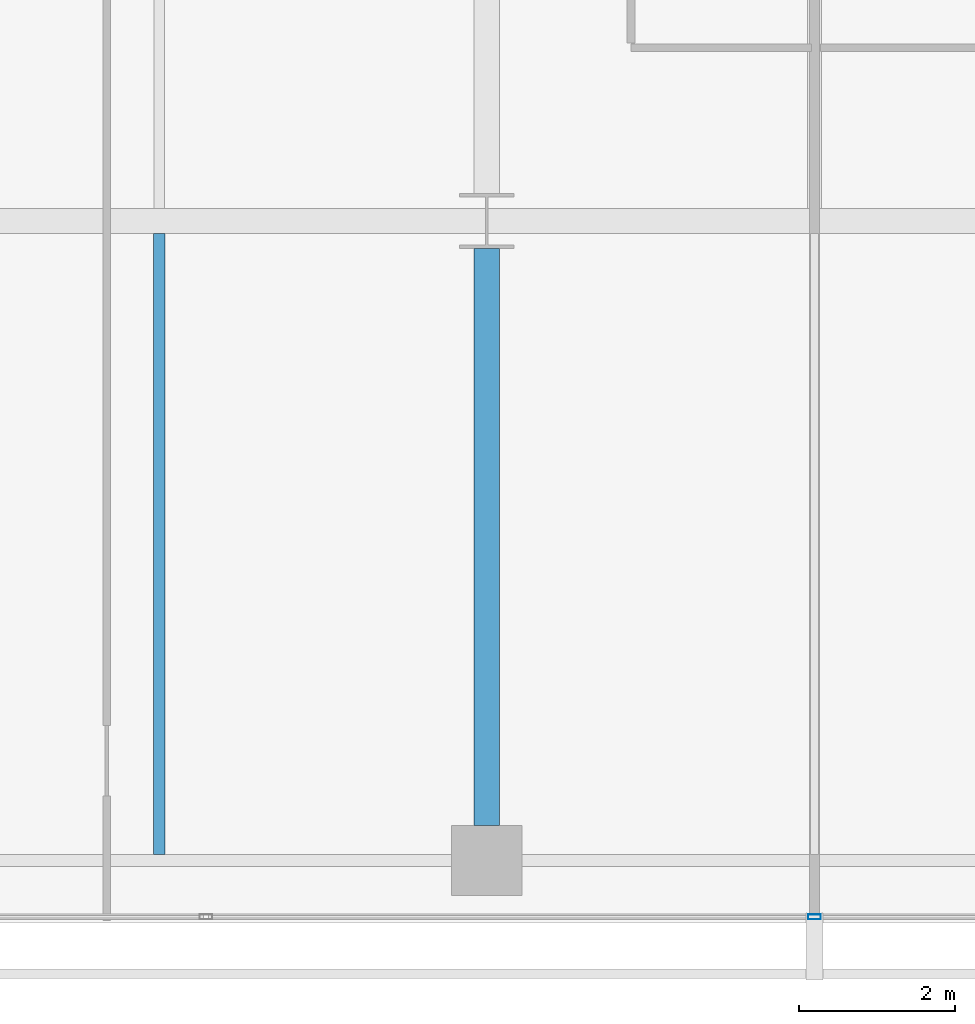
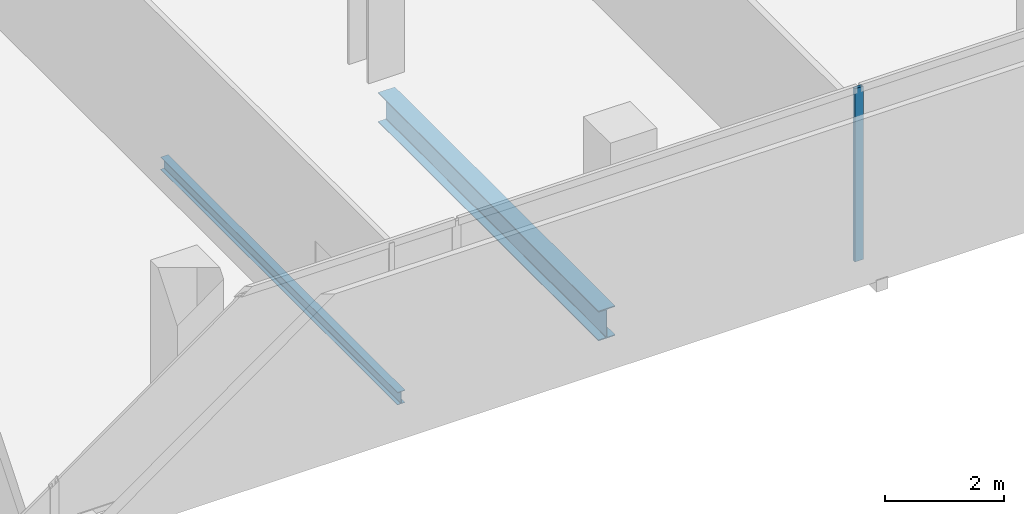
# One storey, part 8 of 39: 2 beams, 1 member, 1 element without a shape of its own.
"""IFC4 building model written with IfcOpenShell, lengths in metres."""

import ifcopenshell
import ifcopenshell.guid

model = None  # the IFC model being written
_history = None  # IfcOwnerHistory: only IFC2X3 demands one
_inside = {}  # id of a spatial element -> (the spatial element, [elements in it])
_under = {}  # id of a project, library or spatial element -> (it, [spatial elements below it])
_declared = {}  # id of a project -> (the project, [libraries it declares])
_typed = {}  # id of a type object -> (the type object, [elements of that type])
_made_of = {}  # id of a material, layer set ... -> (it, [elements and type objects made of it])


def new_model(schema):
    """Start an empty IFC model of exactly this schema.

    Asked for "IFC4X3", IfcOpenShell would pick the latest addendum, in which some entities
    have other attributes; the version numbers below select the first issue.
    IFC2X3 requires an IfcOwnerHistory on every rooted entity: one is made here for all.
    """
    global model, _history
    if schema == "IFC4X3":
        model = ifcopenshell.file(schema_version=(4, 3, 0, 0))
    else:
        model = ifcopenshell.file(schema=schema)
    _inside.clear()
    _under.clear()
    _declared.clear()
    _typed.clear()
    _made_of.clear()
    _history = None
    if model.schema == "IFC2X3":
        org = make("IfcOrganization", Name="unknown")
        user = make(
            "IfcPersonAndOrganization",
            ThePerson=make("IfcPerson", FamilyName="unknown"),
            TheOrganization=org,
        )
        app = make(
            "IfcApplication",
            ApplicationDeveloper=org,
            Version="unknown",
            ApplicationFullName="unknown",
            ApplicationIdentifier="unknown",
        )
        _history = make(
            "IfcOwnerHistory",
            OwningUser=user,
            OwningApplication=app,
            ChangeAction="ADDED",
            CreationDate=0,
        )
    return model


def make(cls, **values):
    """One entity of the class cls with the attributes given. An attribute that is None is left unset."""
    return model.create_entity(
        cls, **{name: value for name, value in values.items() if value is not None}
    )


def rooted(cls, **values):
    """An entity with a GlobalId (a new one), such as an element, a storey or a relation."""
    return make(cls, GlobalId=ifcopenshell.guid.new(), OwnerHistory=_history, **values)


def si_unit(unit_type, name, prefix=None):
    """IfcSIUnit, for example si_unit("LENGTHUNIT", "METRE", prefix="MILLI")."""
    return make("IfcSIUnit", UnitType=unit_type, Prefix=prefix, Name=name)


def assignment(units):
    """IfcUnitAssignment: the units of a project."""
    return None if units is None else make("IfcUnitAssignment", Units=units)


def point(xyz):
    """IfcCartesianPoint."""
    return None if xyz is None else make("IfcCartesianPoint", Coordinates=xyz)


def direction(xyz):
    """IfcDirection."""
    return None if xyz is None else make("IfcDirection", DirectionRatios=xyz)


def frame(location, z_axis=None, x_axis=None):
    """IfcAxis2Placement3D, a coordinate frame: its origin and axes. An axis left out is left unset."""
    return make(
        "IfcAxis2Placement3D",
        Location=point(location),
        Axis=direction(z_axis),
        RefDirection=direction(x_axis),
    )


def frame_2d(location, x_axis=None):
    """IfcAxis2Placement2D, a coordinate frame in the plane: its origin and x axis."""
    return make(
        "IfcAxis2Placement2D", Location=point(location), RefDirection=direction(x_axis)
    )


def origin():
    """The frame at (0, 0, 0) with its axes left unset."""
    return frame((0.0, 0.0, 0.0))


def origin_2d():
    """The frame at (0, 0) in the plane with its x axis left unset."""
    return frame_2d((0.0, 0.0))


def place(relative_to, where):
    """IfcLocalPlacement: puts the frame where relative to a parent placement (None: the world)."""
    return make(
        "IfcLocalPlacement", PlacementRelTo=relative_to, RelativePlacement=where
    )


def context(
    kind, dimensions, precision=None, world=None, true_north=None, identifier=None
):
    """IfcGeometricRepresentationContext, for example the 3D "Model" context."""
    return make(
        "IfcGeometricRepresentationContext",
        ContextIdentifier=identifier,
        ContextType=kind,
        CoordinateSpaceDimension=dimensions,
        Precision=precision,
        WorldCoordinateSystem=world,
        TrueNorth=true_north,
    )


def subcontext(parent, identifier, kind, view, scale=None):
    """IfcGeometricRepresentationSubContext, for example "Body" below "Model"."""
    return make(
        "IfcGeometricRepresentationSubContext",
        ContextIdentifier=identifier,
        ContextType=kind,
        ParentContext=parent,
        TargetScale=scale,
        TargetView=view,
    )


def project(units=None, contexts=None):
    """IfcProject with its units and contexts."""
    return rooted(
        "IfcProject",
        Name="project",
        RepresentationContexts=contexts,
        UnitsInContext=assignment(units),
    )


def spatial(cls, under=None, at=None, **own):
    """A site, building, storey or space (cls), placed at a placement, below another one or the project."""
    s = rooted(cls, ObjectPlacement=at, **own)
    if under is not None:
        _under.setdefault(under.id(), (under, []))[1].append(s)
    return s


def profile(cls, at=None, kind="AREA", **sizes):
    """A parametric profile (cls). Its sizes go by their IFC names, for example OverallWidth=200.0."""
    return make(cls, ProfileType=kind, Position=at, **sizes)


def hollow_rectangle(**sizes):
    """IfcRectangleHollowProfileDef."""
    return profile("IfcRectangleHollowProfileDef", **sizes)


def i_section(**sizes):
    """IfcIShapeProfileDef."""
    return profile("IfcIShapeProfileDef", **sizes)


def extrude(swept, where, along, depth):
    """IfcExtrudedAreaSolid: the profile swept, set in the frame where, extruded along a direction by depth."""
    return make(
        "IfcExtrudedAreaSolid",
        SweptArea=swept,
        Position=where,
        ExtrudedDirection=direction(along),
        Depth=depth,
    )


def shape(context_of_items, identifier, shape_type, items):
    """IfcShapeRepresentation: the items that make up one representation, for example the "Body"."""
    return make(
        "IfcShapeRepresentation",
        ContextOfItems=context_of_items,
        RepresentationIdentifier=identifier,
        RepresentationType=shape_type,
        Items=items,
    )


def material(Name=None, Category=None):
    """IfcMaterial."""
    return make("IfcMaterial", Name=Name, Category=Category)


def layer(
    of_material, thickness, ventilated=None, Name=None, Category=None, Priority=None
):
    """IfcMaterialLayer: one layer of a wall or slab, of a material (None: an air gap)."""
    return make(
        "IfcMaterialLayer",
        Material=of_material,
        LayerThickness=thickness,
        IsVentilated=ventilated,
        Name=Name,
        Category=Category,
        Priority=Priority,
    )


def layer_set(layers, Name=None):
    """IfcMaterialLayerSet."""
    return make("IfcMaterialLayerSet", MaterialLayers=layers, LayerSetName=Name)


def material_profile(
    of_material, cross_section, Name=None, Category=None, Priority=None
):
    """IfcMaterialProfile: a cross section and its material."""
    return make(
        "IfcMaterialProfile",
        Name=Name,
        Material=of_material,
        Profile=cross_section,
        Priority=Priority,
        Category=Category,
    )


def profile_set(profiles, Name=None, composite=None):
    """IfcMaterialProfileSet."""
    return make(
        "IfcMaterialProfileSet",
        Name=Name,
        MaterialProfiles=profiles,
        CompositeProfile=composite,
    )


def made_of(thing, what):
    """Note that an element or type object is made of a material, layer set ...; save() writes the relation."""
    if what is not None:
        _made_of.setdefault(what.id(), (what, []))[1].append(thing)
    return thing


def type_object(cls, material=None, **own):
    """A type object (cls), such as IfcWallType, which elements share."""
    return made_of(rooted(cls, **own), material)


def element(
    cls,
    number,
    at=None,
    inside=None,
    cuts=None,
    type_object=None,
    material=None,
    context=None,
    identifier="Body",
    shape_type=None,
    held_by="IfcProductDefinitionShape",
    body=None,
    shapes=None,
    **own,
):
    """One element of the class cls, such as IfcWall. Its Tag is "e" and its number.

    at: its placement. inside: the storey or other place that contains it. cuts: it is an
    opening in that element (IfcRelVoidsElement). A single representation is given by context,
    identifier, shape_type and body (its items); several are given by shapes. held_by: the class
    of the entity that holds the representations. save() writes the other relations.
    """
    e = rooted(cls, Tag="e%d" % number, ObjectPlacement=at, **own)
    if body is not None:
        shapes = [shape(context, identifier, shape_type, body)]
    if shapes is not None:
        e.Representation = make(held_by, Representations=shapes)
    if inside is not None:
        _inside.setdefault(inside.id(), (inside, []))[1].append(e)
    if cuts is not None:
        rooted(
            "IfcRelVoidsElement", RelatingBuildingElement=cuts, RelatedOpeningElement=e
        )
    if type_object is not None:
        _typed.setdefault(type_object.id(), (type_object, []))[1].append(e)
    return made_of(e, material)


def aggregate(whole, parts):
    """IfcRelAggregates: a whole, such as a stair, and the parts it consists of."""
    return rooted("IfcRelAggregates", RelatingObject=whole, RelatedObjects=parts)


def save(model, path):
    """Write the relations noted so far, then the file.

    IfcRelAggregates (storeys below a building ...), IfcRelContainedInSpatialStructure (elements
    in a storey), IfcRelDefinesByType, IfcRelAssociatesMaterial and IfcRelDeclares: one each for
    every whole, place, type object, material and project.
    """
    for whole, parts in _under.values():
        aggregate(whole, parts)
    for where, things in _inside.values():
        rooted(
            "IfcRelContainedInSpatialStructure",
            RelatedElements=things,
            RelatingStructure=where,
        )
    for kind, things in _typed.values():
        rooted("IfcRelDefinesByType", RelatedObjects=things, RelatingType=kind)
    for what, things in _made_of.values():
        rooted("IfcRelAssociatesMaterial", RelatedObjects=things, RelatingMaterial=what)
    for by, libraries in _declared.values():
        rooted("IfcRelDeclares", RelatingContext=by, RelatedDefinitions=libraries)
    model.write(path)


model = new_model("IFC4")

# Units and contexts
model_context = context("Model", 3, precision=1e-05, world=origin(), true_north=direction((0.0, 1.0)))
body_context = subcontext(model_context, "Body", "Model", "MODEL_VIEW")
ifc_project = project(units=[si_unit("LENGTHUNIT", "METRE"), si_unit("AREAUNIT", "SQUARE_METRE"), si_unit("VOLUMEUNIT", "CUBIC_METRE"), si_unit("PLANEANGLEUNIT", "RADIAN"), si_unit("MASSUNIT", "GRAM", prefix="KILO")], contexts=[model_context])

# Site, building, storey
site_placement = place(None, origin())
site = spatial("IfcSite", under=ifc_project, at=site_placement, CompositionType="ELEMENT")
building_placement = place(site_placement, origin())
building = spatial("IfcBuilding", under=site, at=building_placement, Name="Maruvema Waterfront Hotel and Observation Tower", CompositionType="ELEMENT")
storey_placement = place(building_placement, frame((0.0, 0.0, 111.64990234375)))
storey = spatial("IfcBuildingStorey", under=building, at=storey_placement, Name="L27", CompositionType="ELEMENT", Elevation=111.64990234375)

# Curtain wall, member
ifc_material_1 = material(Name="Anodised bronze aluminium and solar-control low-E IGU", Category="aluminium")
ifc_layer = layer(ifc_material_1, 0.159912109375, Name="Zone 1 Bronze Inner Thermal Curtain Wall System CW-02")
ifc_layer_set = layer_set([ifc_layer], Name="Anodised bronze aluminium and solar-control low-E IGU")
curtain_wall_type = type_object("IfcCurtainWallType", Name="Zone 1 Bronze Inner Thermal Curtain Wall System CW-02", PredefinedType="USERDEFINED", material=ifc_layer_set)
curtain_wall_placement = place(storey_placement, origin())
curtain_wall = element("IfcCurtainWall", 1, at=curtain_wall_placement, inside=storey, type_object=curtain_wall_type, Name="L27 Curtain Wall CW-L27-S", ObjectType="UNITISED CURTAIN WALL", PredefinedType="USERDEFINED")
ifc_material_2 = material(Name="Anodised architectural bronze aluminium", Category="aluminium")
ifc_material_profile_1 = material_profile(ifc_material_2, hollow_rectangle(XDim=0.06494140625, YDim=0.1650390625, WallThickness=0.00390625, at=origin_2d()), Name="ALU-M65x165")
ifc_profile_set_1 = profile_set([ifc_material_profile_1], Name="Anodised architectural bronze aluminium")
member_type = type_object("IfcMemberType", Name="Curtain Wall Primary Mullion ALU-M65x165", PredefinedType="MULLION", material=ifc_profile_set_1)
member_placement = place(storey_placement, frame((37.800048828125, 0.080078125, 0.0), z_axis=(0.0, 0.0, 1.0), x_axis=(0.0, 1.0, 0.0)))
member = element("IfcMember", 2, at=member_placement, type_object=member_type, Name="CW-02 mullion 4", PredefinedType="MULLION", context=body_context, shape_type="SweptSolid", body=[
    extrude(hollow_rectangle(XDim=0.06494140625, YDim=0.1650390625, WallThickness=0.00390625, at=origin_2d()), origin(), (0.0, 0.0, 1.0), 3.550048828125),
])
aggregate(curtain_wall, [member])

# Beams
ifc_material_3 = material(Name="Steel ASTM A572 Grade 50", Category="steel")
ifc_material_profile_2 = material_profile(ifc_material_3, i_section(OverallWidth=0.323974609375, OverallDepth=0.611083984375, WebThickness=0.0126953125, FlangeThickness=0.01904296875, FilletRadius=0.01806640625, at=origin_2d()), Name="W610x155.0")
ifc_profile_set_2 = profile_set([ifc_material_profile_2], Name="Steel ASTM A572 Grade 50")
beam_type_1 = type_object("IfcBeamType", Name="Primary Floor Girder W610x155.0", PredefinedType="BEAM", material=ifc_profile_set_2)
beam_1_placement = place(storey_placement, frame((33.60009765625, 1.25, -0.54541015625), z_axis=(0.0, 1.0, 0.0), x_axis=(-1.0, 0.0, 0.0)))
element("IfcBeam", 3, at=beam_1_placement, inside=storey, type_object=beam_type_1, Name="L27 Floor Girder NS-16", PredefinedType="BEAM", context=body_context, shape_type="SweptSolid", body=[
    extrude(i_section(OverallWidth=0.323974609375, OverallDepth=0.611083984375, WebThickness=0.0126953125, FlangeThickness=0.01904296875, FilletRadius=0.01806640625, at=origin_2d()), origin(), (0.0, 0.0, 1.0), 7.39990234375),
])
ifc_material_4 = material(Name="Steel ASTM A572 Grade 50", Category="steel")
ifc_material_profile_3 = material_profile(ifc_material_4, i_section(OverallWidth=0.14599609375, OverallDepth=0.258056640625, WebThickness=0.006103515625, FlangeThickness=0.009033203125, FilletRadius=0.012939453125, at=origin_2d()), Name="W250x32.7")
ifc_profile_set_3 = profile_set([ifc_material_profile_3], Name="Steel ASTM A572 Grade 50")
beam_type_2 = type_object("IfcBeamType", Name="Secondary Floor Joist W250x32.7", PredefinedType="JOIST", material=ifc_profile_set_3)
beam_2_placement = place(storey_placement, frame((29.39990234375, 0.87646484375, -0.368896484375), z_axis=(0.0, 1.0, 0.0), x_axis=(-1.0, 0.0, 0.0)))
element("IfcBeam", 4, at=beam_2_placement, inside=storey, type_object=beam_type_2, Name="L27 Secondary Floor Joist JS-10", PredefinedType="JOIST", context=body_context, shape_type="SweptSolid", body=[
    extrude(i_section(OverallWidth=0.14599609375, OverallDepth=0.258056640625, WebThickness=0.006103515625, FlangeThickness=0.009033203125, FilletRadius=0.012939453125, at=origin_2d()), origin(), (0.0, 0.0, 1.0), 7.96142578125),
])

save(model, "model.ifc")
